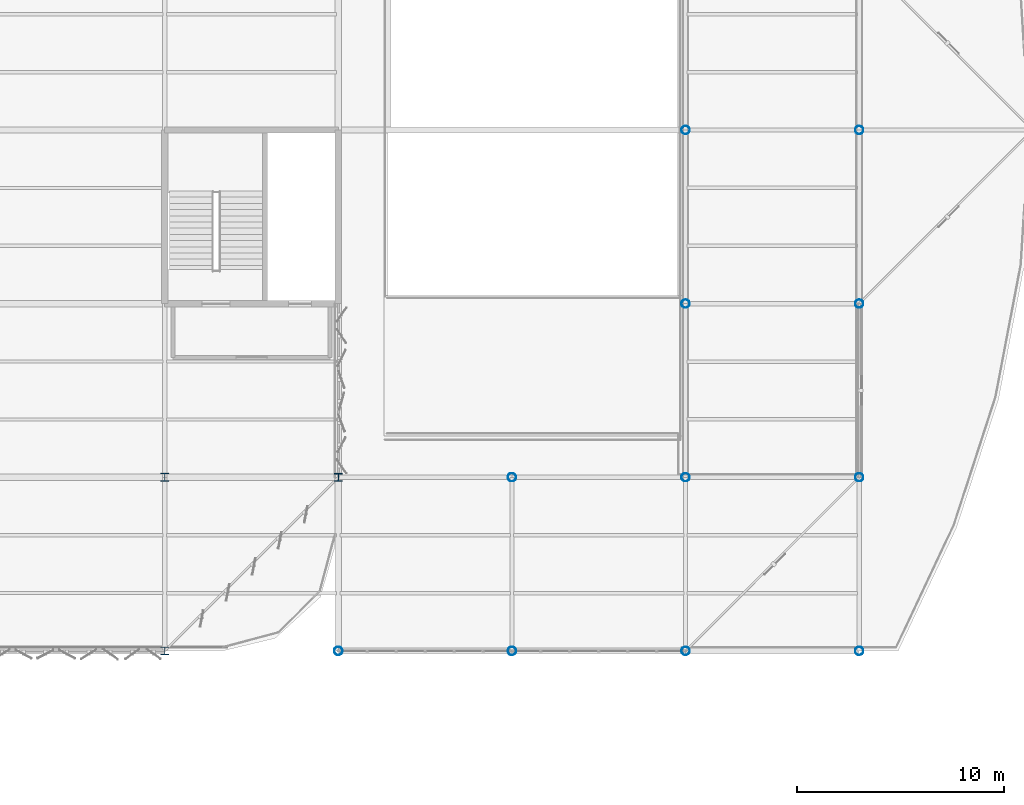
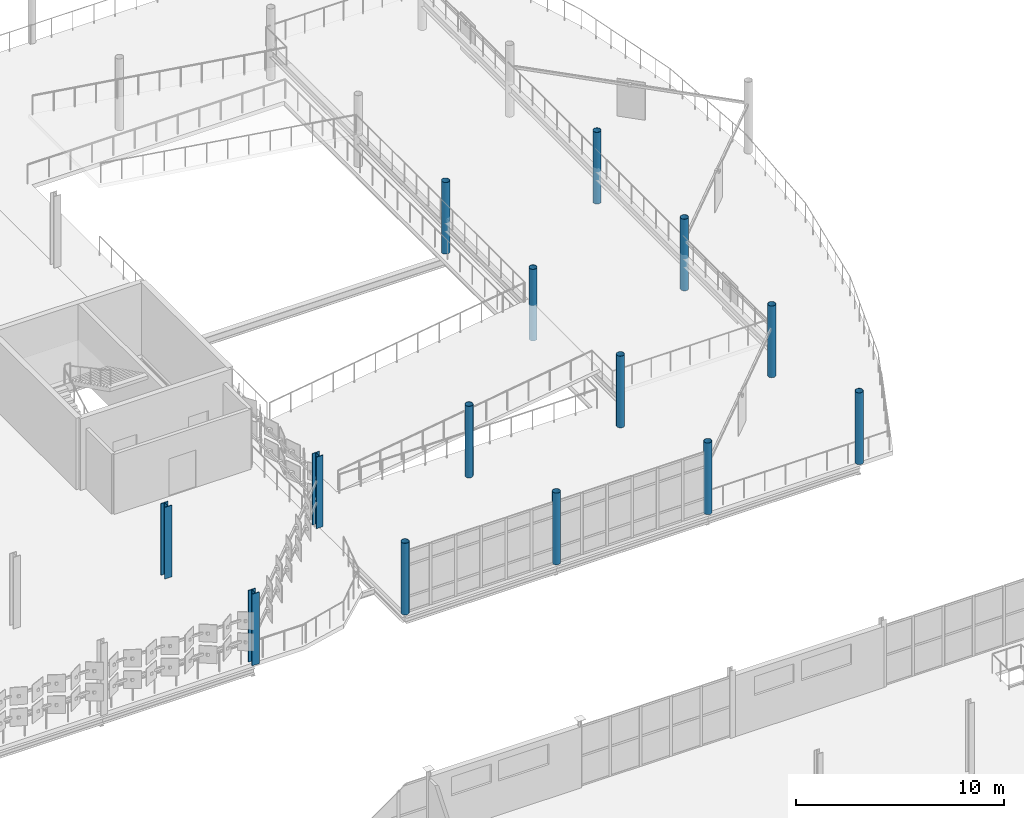
# One storey, part 22 of 163: 14 columns.
"""IFC4 building model written with IfcOpenShell, lengths in metres."""

import ifcopenshell
import ifcopenshell.guid

model = None  # the IFC model being written
_history = None  # IfcOwnerHistory: only IFC2X3 demands one
_inside = {}  # id of a spatial element -> (the spatial element, [elements in it])
_under = {}  # id of a project, library or spatial element -> (it, [spatial elements below it])
_declared = {}  # id of a project -> (the project, [libraries it declares])
_typed = {}  # id of a type object -> (the type object, [elements of that type])
_made_of = {}  # id of a material, layer set ... -> (it, [elements and type objects made of it])


def new_model(schema):
    """Start an empty IFC model of exactly this schema.

    Asked for "IFC4X3", IfcOpenShell would pick the latest addendum, in which some entities
    have other attributes; the version numbers below select the first issue.
    IFC2X3 requires an IfcOwnerHistory on every rooted entity: one is made here for all.
    """
    global model, _history
    if schema == "IFC4X3":
        model = ifcopenshell.file(schema_version=(4, 3, 0, 0))
    else:
        model = ifcopenshell.file(schema=schema)
    _inside.clear()
    _under.clear()
    _declared.clear()
    _typed.clear()
    _made_of.clear()
    _history = None
    if model.schema == "IFC2X3":
        org = make("IfcOrganization", Name="unknown")
        user = make(
            "IfcPersonAndOrganization",
            ThePerson=make("IfcPerson", FamilyName="unknown"),
            TheOrganization=org,
        )
        app = make(
            "IfcApplication",
            ApplicationDeveloper=org,
            Version="unknown",
            ApplicationFullName="unknown",
            ApplicationIdentifier="unknown",
        )
        _history = make(
            "IfcOwnerHistory",
            OwningUser=user,
            OwningApplication=app,
            ChangeAction="ADDED",
            CreationDate=0,
        )
    return model


def make(cls, **values):
    """One entity of the class cls with the attributes given. An attribute that is None is left unset."""
    return model.create_entity(
        cls, **{name: value for name, value in values.items() if value is not None}
    )


def rooted(cls, **values):
    """An entity with a GlobalId (a new one), such as an element, a storey or a relation."""
    return make(cls, GlobalId=ifcopenshell.guid.new(), OwnerHistory=_history, **values)


def si_unit(unit_type, name, prefix=None):
    """IfcSIUnit, for example si_unit("LENGTHUNIT", "METRE", prefix="MILLI")."""
    return make("IfcSIUnit", UnitType=unit_type, Prefix=prefix, Name=name)


def assignment(units):
    """IfcUnitAssignment: the units of a project."""
    return None if units is None else make("IfcUnitAssignment", Units=units)


def point(xyz):
    """IfcCartesianPoint."""
    return None if xyz is None else make("IfcCartesianPoint", Coordinates=xyz)


def direction(xyz):
    """IfcDirection."""
    return None if xyz is None else make("IfcDirection", DirectionRatios=xyz)


def frame(location, z_axis=None, x_axis=None):
    """IfcAxis2Placement3D, a coordinate frame: its origin and axes. An axis left out is left unset."""
    return make(
        "IfcAxis2Placement3D",
        Location=point(location),
        Axis=direction(z_axis),
        RefDirection=direction(x_axis),
    )


def frame_2d(location, x_axis=None):
    """IfcAxis2Placement2D, a coordinate frame in the plane: its origin and x axis."""
    return make(
        "IfcAxis2Placement2D", Location=point(location), RefDirection=direction(x_axis)
    )


def origin():
    """The frame at (0, 0, 0) with its axes left unset."""
    return frame((0.0, 0.0, 0.0))


def origin_2d():
    """The frame at (0, 0) in the plane with its x axis left unset."""
    return frame_2d((0.0, 0.0))


def place(relative_to, where):
    """IfcLocalPlacement: puts the frame where relative to a parent placement (None: the world)."""
    return make(
        "IfcLocalPlacement", PlacementRelTo=relative_to, RelativePlacement=where
    )


def context(
    kind, dimensions, precision=None, world=None, true_north=None, identifier=None
):
    """IfcGeometricRepresentationContext, for example the 3D "Model" context."""
    return make(
        "IfcGeometricRepresentationContext",
        ContextIdentifier=identifier,
        ContextType=kind,
        CoordinateSpaceDimension=dimensions,
        Precision=precision,
        WorldCoordinateSystem=world,
        TrueNorth=true_north,
    )


def subcontext(parent, identifier, kind, view, scale=None):
    """IfcGeometricRepresentationSubContext, for example "Body" below "Model"."""
    return make(
        "IfcGeometricRepresentationSubContext",
        ContextIdentifier=identifier,
        ContextType=kind,
        ParentContext=parent,
        TargetScale=scale,
        TargetView=view,
    )


def project(units=None, contexts=None):
    """IfcProject with its units and contexts."""
    return rooted(
        "IfcProject",
        Name="project",
        RepresentationContexts=contexts,
        UnitsInContext=assignment(units),
    )


def spatial(cls, under=None, at=None, **own):
    """A site, building, storey or space (cls), placed at a placement, below another one or the project."""
    s = rooted(cls, ObjectPlacement=at, **own)
    if under is not None:
        _under.setdefault(under.id(), (under, []))[1].append(s)
    return s


def profile(cls, at=None, kind="AREA", **sizes):
    """A parametric profile (cls). Its sizes go by their IFC names, for example OverallWidth=200.0."""
    return make(cls, ProfileType=kind, Position=at, **sizes)


def hollow_circle(**sizes):
    """IfcCircleHollowProfileDef."""
    return profile("IfcCircleHollowProfileDef", **sizes)


def i_section(**sizes):
    """IfcIShapeProfileDef."""
    return profile("IfcIShapeProfileDef", **sizes)


def extrude(swept, where, along, depth):
    """IfcExtrudedAreaSolid: the profile swept, set in the frame where, extruded along a direction by depth."""
    return make(
        "IfcExtrudedAreaSolid",
        SweptArea=swept,
        Position=where,
        ExtrudedDirection=direction(along),
        Depth=depth,
    )


def shape(context_of_items, identifier, shape_type, items):
    """IfcShapeRepresentation: the items that make up one representation, for example the "Body"."""
    return make(
        "IfcShapeRepresentation",
        ContextOfItems=context_of_items,
        RepresentationIdentifier=identifier,
        RepresentationType=shape_type,
        Items=items,
    )


def material(Name=None, Category=None):
    """IfcMaterial."""
    return make("IfcMaterial", Name=Name, Category=Category)


def material_profile(
    of_material, cross_section, Name=None, Category=None, Priority=None
):
    """IfcMaterialProfile: a cross section and its material."""
    return make(
        "IfcMaterialProfile",
        Name=Name,
        Material=of_material,
        Profile=cross_section,
        Priority=Priority,
        Category=Category,
    )


def profile_set(profiles, Name=None, composite=None):
    """IfcMaterialProfileSet."""
    return make(
        "IfcMaterialProfileSet",
        Name=Name,
        MaterialProfiles=profiles,
        CompositeProfile=composite,
    )


def made_of(thing, what):
    """Note that an element or type object is made of a material, layer set ...; save() writes the relation."""
    if what is not None:
        _made_of.setdefault(what.id(), (what, []))[1].append(thing)
    return thing


def type_object(cls, material=None, **own):
    """A type object (cls), such as IfcWallType, which elements share."""
    return made_of(rooted(cls, **own), material)


def element(
    cls,
    number,
    at=None,
    inside=None,
    cuts=None,
    type_object=None,
    material=None,
    context=None,
    identifier="Body",
    shape_type=None,
    held_by="IfcProductDefinitionShape",
    body=None,
    shapes=None,
    **own,
):
    """One element of the class cls, such as IfcWall. Its Tag is "e" and its number.

    at: its placement. inside: the storey or other place that contains it. cuts: it is an
    opening in that element (IfcRelVoidsElement). A single representation is given by context,
    identifier, shape_type and body (its items); several are given by shapes. held_by: the class
    of the entity that holds the representations. save() writes the other relations.
    """
    e = rooted(cls, Tag="e%d" % number, ObjectPlacement=at, **own)
    if body is not None:
        shapes = [shape(context, identifier, shape_type, body)]
    if shapes is not None:
        e.Representation = make(held_by, Representations=shapes)
    if inside is not None:
        _inside.setdefault(inside.id(), (inside, []))[1].append(e)
    if cuts is not None:
        rooted(
            "IfcRelVoidsElement", RelatingBuildingElement=cuts, RelatedOpeningElement=e
        )
    if type_object is not None:
        _typed.setdefault(type_object.id(), (type_object, []))[1].append(e)
    return made_of(e, material)


def aggregate(whole, parts):
    """IfcRelAggregates: a whole, such as a stair, and the parts it consists of."""
    return rooted("IfcRelAggregates", RelatingObject=whole, RelatedObjects=parts)


def save(model, path):
    """Write the relations noted so far, then the file.

    IfcRelAggregates (storeys below a building ...), IfcRelContainedInSpatialStructure (elements
    in a storey), IfcRelDefinesByType, IfcRelAssociatesMaterial and IfcRelDeclares: one each for
    every whole, place, type object, material and project.
    """
    for whole, parts in _under.values():
        aggregate(whole, parts)
    for where, things in _inside.values():
        rooted(
            "IfcRelContainedInSpatialStructure",
            RelatedElements=things,
            RelatingStructure=where,
        )
    for kind, things in _typed.values():
        rooted("IfcRelDefinesByType", RelatedObjects=things, RelatingType=kind)
    for what, things in _made_of.values():
        rooted("IfcRelAssociatesMaterial", RelatedObjects=things, RelatingMaterial=what)
    for by, libraries in _declared.values():
        rooted("IfcRelDeclares", RelatingContext=by, RelatedDefinitions=libraries)
    model.write(path)


model = new_model("IFC4")

# Units and contexts
model_context = context("Model", 3, precision=1e-05, world=origin(), true_north=direction((0.0, 1.0)))
body_context = subcontext(model_context, "Body", "Model", "MODEL_VIEW")
ifc_project = project(units=[si_unit("LENGTHUNIT", "METRE"), si_unit("AREAUNIT", "SQUARE_METRE"), si_unit("VOLUMEUNIT", "CUBIC_METRE"), si_unit("PLANEANGLEUNIT", "RADIAN"), si_unit("MASSUNIT", "GRAM", prefix="KILO")], contexts=[model_context])

# Site, building, storey
site_placement = place(None, origin())
site = spatial("IfcSite", under=ifc_project, at=site_placement, CompositionType="ELEMENT")
building_placement = place(site_placement, origin())
building = spatial("IfcBuilding", under=site, at=building_placement, Name="Qalvenar Corner Mobility Hub", CompositionType="ELEMENT")
storey_placement = place(building_placement, frame((0.0, 0.0, 4.800048828125)))
storey = spatial("IfcBuildingStorey", under=building, at=storey_placement, Name="L01", CompositionType="ELEMENT", Elevation=4.800048828125)

# Columns
ifc_material = material(Name="Steel S355", Category="steel")
ifc_material_profile_1 = material_profile(ifc_material, hollow_circle(Radius=0.203125, WallThickness=0.012451171875, at=origin_2d()), Name="CHS406.4x12.5")
ifc_profile_set_1 = profile_set([ifc_material_profile_1], Name="Steel S355")
column_type_1 = type_object("IfcColumnType", Name="COL-CHS406", PredefinedType="COLUMN", material=ifc_profile_set_1)
for number, where, z_axis, x_axis, name in (
    (1, (142.800048828125, 67.199951171875, 0.0), (0.0, 0.0, 1.0), (1.0, 0.0, 0.0), "Steel Column L01-G18-8"),
    (2, (151.199951171875, 67.199951171875, 0.0), (0.0, 0.0, 1.0), (1.0, 0.0, 0.0), "Steel Column L01-G19-8"),
    (3, (151.199951171875, 75.60009765625, 0.0), (0.0, 0.0, 1.0), (1.0, 0.0, 0.0), "Steel Column L01-G19-9"),
    (4, (159.60009765625, 67.199951171875, 0.0), (0.0, 0.0, 1.0), (1.0, 0.0, 0.0), "Steel Column L01-G20-8"),
    (5, (159.60009765625, 75.60009765625, 0.0), (0.0, 0.0, 1.0), (1.0, 0.0, 0.0), "Steel Column L01-G20-9"),
    (6, (159.60009765625, 84.0, 0.0), (0.0, 0.0, 1.0), (1.0, 0.0, 0.0), "Steel Column L01-G20-10"),
    (7, (159.60009765625, 92.39990234375, 0.0), (0.0, 0.0, 1.0), (1.0, 0.0, 0.0), "Steel Column L01-G20-11"),
    (8, (168.0, 67.199951171875, 0.0), (0.0, 0.0, 1.0), (1.0, 0.0, 0.0), "Steel Column L01-G21-8"),
    (9, (168.0, 75.60009765625, 0.0), (0.0, 0.0, 1.0), (1.0, 0.0, 0.0), "Steel Column L01-G21-9"),
    (10, (168.0, 84.0, 0.0), (0.0, 0.0, 1.0), (1.0, 0.0, 0.0), "Steel Column L01-G21-10"),
    (11, (168.0, 92.39990234375, 0.0), (0.0, 0.0, 1.0), (1.0, 0.0, 0.0), "Steel Column L01-G21-11"),
):
    element("IfcColumn", number, at=place(storey_placement, frame(where, z_axis=z_axis, x_axis=x_axis)), inside=storey, type_object=column_type_1, Name=name, PredefinedType="COLUMN", context=body_context, shape_type="SweptSolid", body=[
        extrude(hollow_circle(Radius=0.203125, WallThickness=0.012451171875, at=origin_2d()), origin(), (0.0, 0.0, 1.0), 4.199951171875),
    ])
ifc_material_profile_2 = material_profile(ifc_material, i_section(OverallWidth=0.376953125, OverallDepth=0.386962890625, WebThickness=0.0224609375, FlangeThickness=0.035888671875, FilletRadius=0.014892578125, at=origin_2d()), Name="HD360x262")
ifc_profile_set_2 = profile_set([ifc_material_profile_2], Name="Steel S355")
column_type_2 = type_object("IfcColumnType", Name="COL-HD360X262", PredefinedType="COLUMN", material=ifc_profile_set_2)
column_placement = place(storey_placement, frame((142.800048828125, 75.60009765625, 0.0), z_axis=(0.0, 0.0, 1.0), x_axis=(1.0, 0.0, 0.0)))
element("IfcColumn", 12, at=column_placement, inside=storey, type_object=column_type_2, Name="Steel Column L01-G18-9", PredefinedType="COLUMN", context=body_context, shape_type="SweptSolid", body=[
    extrude(i_section(OverallWidth=0.376953125, OverallDepth=0.386962890625, WebThickness=0.0224609375, FlangeThickness=0.035888671875, FilletRadius=0.014892578125, at=origin_2d()), origin(), (0.0, 0.0, 1.0), 4.199951171875),
])
ifc_material_profile_3 = material_profile(ifc_material, i_section(OverallWidth=0.40087890625, OverallDepth=0.39892578125, WebThickness=0.02490234375, FlangeThickness=0.03955078125, FilletRadius=0.014892578125, at=origin_2d()), Name="HD400x314")
ifc_profile_set_3 = profile_set([ifc_material_profile_3], Name="Steel S355")
column_type_3 = type_object("IfcColumnType", Name="COL-HD400X314", PredefinedType="COLUMN", material=ifc_profile_set_3)
for number, where, z_axis, x_axis, name in (
    (13, (134.39990234375, 67.199951171875, 0.0), (0.0, 0.0, 1.0), (1.0, 0.0, 0.0), "Steel Column L01-G17-8"),
    (14, (134.39990234375, 75.60009765625, 0.0), (0.0, 0.0, 1.0), (1.0, 0.0, 0.0), "Steel Column L01-G17-9"),
):
    element("IfcColumn", number, at=place(storey_placement, frame(where, z_axis=z_axis, x_axis=x_axis)), inside=storey, type_object=column_type_3, Name=name, PredefinedType="COLUMN", context=body_context, shape_type="SweptSolid", body=[
        extrude(i_section(OverallWidth=0.40087890625, OverallDepth=0.39892578125, WebThickness=0.02490234375, FlangeThickness=0.03955078125, FilletRadius=0.014892578125, at=origin_2d()), origin(), (0.0, 0.0, 1.0), 4.199951171875),
    ])

save(model, "model.ifc")
